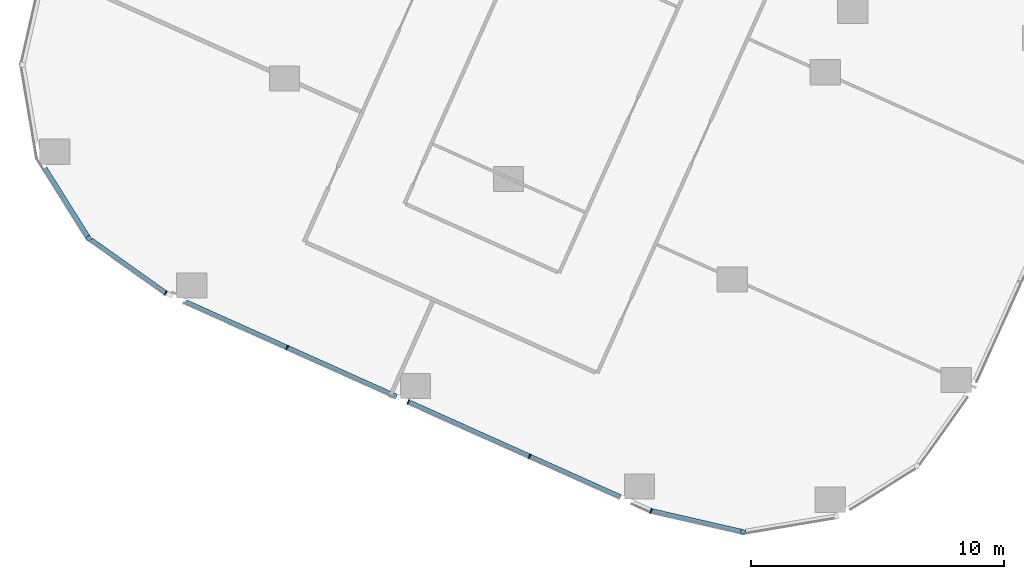
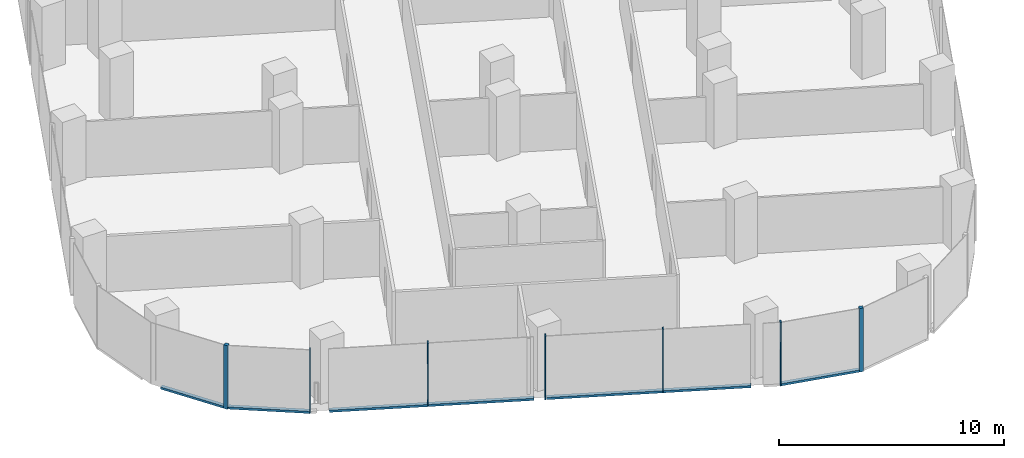
# One storey, part 2 of 34: 12 members, 4 elements without a shape of their own.
"""IFC4 building model written with IfcOpenShell, lengths in metres."""

from ifc_helpers import new_model, si_unit, direction, frame, origin, origin_2d, place, context, subcontext, project, spatial, rectangle, extrude, material, material_profile, profile_set, type_object, element, aggregate, save


model = new_model("IFC4")

# Units and contexts
model_context = context("Model", 3, precision=1e-05, world=origin(), true_north=direction((0.0, 1.0)))
body_context = subcontext(model_context, "Body", "Model", "MODEL_VIEW")
ifc_project = project(units=[si_unit("LENGTHUNIT", "METRE"), si_unit("AREAUNIT", "SQUARE_METRE"), si_unit("VOLUMEUNIT", "CUBIC_METRE"), si_unit("PLANEANGLEUNIT", "RADIAN"), si_unit("MASSUNIT", "GRAM", prefix="KILO")], contexts=[model_context])

# Site, building, storey
site_placement = place(None, origin())
site = spatial("IfcSite", under=ifc_project, at=site_placement, CompositionType="ELEMENT")
building_placement = place(site_placement, origin())
building = spatial("IfcBuilding", under=site, at=building_placement, Name="Orlundy Tower", CompositionType="ELEMENT")
storey_placement = place(building_placement, frame((0.0, 0.0, 134.199951171875)))
storey = spatial("IfcBuildingStorey", under=building, at=storey_placement, Name="L34", CompositionType="ELEMENT", Elevation=134.199951171875)

# Curtain wall, member
ifc_material_1 = material(Name="Aluminium bronze anodised", Category="aluminium")
curtain_wall_type = type_object("IfcCurtainWallType", Name="CW1 wall", PredefinedType="NOTDEFINED", material=ifc_material_1)
curtain_wall_1_placement = place(storey_placement, origin())
curtain_wall_1 = element("IfcCurtainWall", 1, at=curtain_wall_1_placement, inside=storey, type_object=curtain_wall_type, Name="CW1 run 022", PredefinedType="NOTDEFINED")
ifc_material_2 = material(Name="Aluminium bronze anodised", Category="aluminium")
ifc_material_profile_1 = material_profile(ifc_material_2, rectangle(XDim=0.179931640625, YDim=0.179931640625, at=origin_2d()), Name="CW1 corner post 180x180")
ifc_profile_set_1 = profile_set([ifc_material_profile_1], Name="Aluminium bronze anodised")
member_type_1 = type_object("IfcMemberType", Name="CW1 corner post 180x180", PredefinedType="MULLION", material=ifc_profile_set_1)
member_1_placement = place(storey_placement, frame((-11.57861328125, -60.416748046875, -0.39990234375), z_axis=(0.0, 0.0, 1.0), x_axis=(-0.223696612955, -0.974658825104, 0.0)))
member_1 = element("IfcMember", 2, at=member_1_placement, type_object=member_type_1, Name="CW1 mullion 60", PredefinedType="MULLION", context=body_context, shape_type="SweptSolid", body=[
    extrude(rectangle(XDim=0.179931640625, YDim=0.179931640625, at=origin_2d()), origin(), (0.0, 0.0, 1.0), 3.449951171875),
])

curtain_wall_2_placement = place(storey_placement, origin())
curtain_wall_2 = element("IfcCurtainWall", 3, at=curtain_wall_2_placement, inside=storey, type_object=curtain_wall_type, Name="CW1 run 025", PredefinedType="NOTDEFINED")
member_2_placement = place(storey_placement, frame((-37.435791015625, -48.81396484375, -0.39990234375), z_axis=(0.0, 0.0, 1.0), x_axis=(-0.847285276564, -0.531138080086, 0.0)))
member_2 = element("IfcMember", 4, at=member_2_placement, type_object=member_type_1, Name="CW1 mullion 66", PredefinedType="MULLION", context=body_context, shape_type="SweptSolid", body=[
    extrude(rectangle(XDim=0.179931640625, YDim=0.179931640625, at=origin_2d()), origin(), (0.0, 0.0, 1.0), 3.449951171875),
])

# Curtain wall, members
curtain_wall_3_placement = place(storey_placement, origin())
curtain_wall_3 = element("IfcCurtainWall", 5, at=curtain_wall_3_placement, inside=storey, type_object=curtain_wall_type, Name="CW1 run 023", PredefinedType="NOTDEFINED")
ifc_material_3 = material(Name="Aluminium bronze anodised", Category="aluminium")
ifc_material_profile_2 = material_profile(ifc_material_3, rectangle(XDim=0.179931640625, YDim=0.050048828125, at=origin_2d()), Name="CW1 mullion 50x180")
ifc_profile_set_2 = profile_set([ifc_material_profile_2], Name="Aluminium bronze anodised")
member_type_2 = type_object("IfcMemberType", Name="CW1 mullion 50x180", PredefinedType="MULLION", material=ifc_profile_set_2)
member_3_placement = place(storey_placement, frame((-15.216796875, -59.581787109375, -0.39990234375), z_axis=(0.0, 0.0, 1.0), x_axis=(-0.31806418757, -0.948069181329, 0.0)))
member_3 = element("IfcMember", 6, at=member_3_placement, type_object=member_type_2, Name="CW1 mullion 61", PredefinedType="MULLION", context=body_context, shape_type="SweptSolid", body=[
    extrude(rectangle(XDim=0.179931640625, YDim=0.050048828125, at=origin_2d()), origin(), (0.0, 0.0, 1.0), 3.449951171875),
])
member_4_placement = place(storey_placement, frame((-20.014892578125, -57.428955078125, -0.39990234375), z_axis=(0.0, 0.0, 1.0), x_axis=(-0.409374450241, -0.912366461182, 0.0)))
member_4 = element("IfcMember", 7, at=member_4_placement, type_object=member_type_2, Name="CW1 mullion 62", PredefinedType="MULLION", context=body_context, shape_type="SweptSolid", body=[
    extrude(rectangle(XDim=0.179931640625, YDim=0.050048828125, at=origin_2d()), origin(), (0.0, 0.0, 1.0), 3.449951171875),
])
member_5_placement = place(storey_placement, frame((-24.804931640625, -55.279541015625, -0.39990234375), z_axis=(0.0, 0.0, 1.0), x_axis=(-0.409374450241, -0.912366461182, 0.0)))
member_5 = element("IfcMember", 8, at=member_5_placement, type_object=member_type_2, Name="CW1 mullion 63", PredefinedType="MULLION", context=body_context, shape_type="SweptSolid", body=[
    extrude(rectangle(XDim=0.179931640625, YDim=0.050048828125, at=origin_2d()), origin(), (0.0, 0.0, 1.0), 3.449951171875),
])
member_6_placement = place(storey_placement, frame((-29.5947265625, -53.13037109375, -0.39990234375), z_axis=(0.0, 0.0, 1.0), x_axis=(-0.409374450241, -0.912366461182, 0.0)))
member_6 = element("IfcMember", 9, at=member_6_placement, type_object=member_type_2, Name="CW1 mullion 64", PredefinedType="MULLION", context=body_context, shape_type="SweptSolid", body=[
    extrude(rectangle(XDim=0.179931640625, YDim=0.050048828125, at=origin_2d()), origin(), (0.0, 0.0, 1.0), 3.449951171875),
])

# Curtain wall, member
curtain_wall_4_placement = place(storey_placement, origin())
curtain_wall_4 = element("IfcCurtainWall", 10, at=curtain_wall_4_placement, inside=storey, type_object=curtain_wall_type, Name="CW1 run 024", PredefinedType="NOTDEFINED")
member_7_placement = place(storey_placement, frame((-34.392822265625, -50.9775390625, -0.39990234375), z_axis=(0.0, 0.0, 1.0), x_axis=(-0.496816751201, -0.867855469376, 0.0)))
member_7 = element("IfcMember", 11, at=member_7_placement, type_object=member_type_2, Name="CW1 mullion 65", PredefinedType="MULLION", context=body_context, shape_type="SweptSolid", body=[
    extrude(rectangle(XDim=0.179931640625, YDim=0.050048828125, at=origin_2d()), origin(), (0.0, 0.0, 1.0), 3.449951171875),
])

# Member
ifc_material_4 = material(Name="Aluminium bronze anodised", Category="aluminium")
ifc_material_profile_3 = material_profile(ifc_material_4, rectangle(XDim=0.179931640625, YDim=0.1201171875, at=origin_2d()), Name="CW1 transom 180x120")
ifc_profile_set_3 = profile_set([ifc_material_profile_3], Name="Aluminium bronze anodised")
member_type_3 = type_object("IfcMemberType", Name="CW1 transom 180x120", PredefinedType="USERDEFINED", material=ifc_profile_set_3)
member_8_placement = place(storey_placement, frame((-11.66650390625, -60.396484375, -0.33984375), z_axis=(-0.974667990207, 0.223656676329, 0.0), x_axis=(-0.223656676329, -0.974667990207, 0.0)))
member_8 = element("IfcMember", 12, at=member_8_placement, type_object=member_type_3, Name="CW1 transom", ObjectType="TRANSOM", PredefinedType="USERDEFINED", context=body_context, shape_type="SweptSolid", body=[
    extrude(rectangle(XDim=0.179931640625, YDim=0.1201171875, at=origin_2d()), origin(), (0.0, 0.0, 1.0), 3.617431640625),
])

aggregate(curtain_wall_1, [member_1, member_8])

member_9_placement = place(storey_placement, frame((-16.423095703125, -59.04052734375, -0.33984375), z_axis=(-0.912367920635, 0.409371197565, 0.0), x_axis=(-0.409371197565, -0.912367920635, 0.0)))
member_9 = element("IfcMember", 13, at=member_9_placement, type_object=member_type_3, Name="CW1 transom", ObjectType="TRANSOM", PredefinedType="USERDEFINED", context=body_context, shape_type="SweptSolid", body=[
    extrude(rectangle(XDim=0.179931640625, YDim=0.1201171875, at=origin_2d()), origin(), (0.0, 0.0, 1.0), 9.13720703125),
])

member_10_placement = place(storey_placement, frame((-25.27294921875, -55.069580078125, -0.33984375), z_axis=(-0.912372398272, 0.409361218084, 0.0), x_axis=(-0.409361218084, -0.912372398272, 0.0)))
member_10 = element("IfcMember", 14, at=member_10_placement, type_object=member_type_3, Name="CW1 transom", ObjectType="TRANSOM", PredefinedType="USERDEFINED", context=body_context, shape_type="SweptSolid", body=[
    extrude(rectangle(XDim=0.179931640625, YDim=0.1201171875, at=origin_2d()), origin(), (0.0, 0.0, 1.0), 9.137451171875),
])

aggregate(curtain_wall_3, [member_3, member_4, member_5, member_6, member_9, member_10])

member_11_placement = place(storey_placement, frame((-34.413330078125, -50.962890625, -0.33984375), z_axis=(-0.815001442814, 0.579458927114, 0.0), x_axis=(-0.579458927114, -0.815001442814, 0.0)))
member_11 = element("IfcMember", 15, at=member_11_placement, type_object=member_type_3, Name="CW1 transom", ObjectType="TRANSOM", PredefinedType="USERDEFINED", context=body_context, shape_type="SweptSolid", body=[
    extrude(rectangle(XDim=0.179931640625, YDim=0.1201171875, at=origin_2d()), origin(), (0.0, 0.0, 1.0), 3.611083984375),
])

aggregate(curtain_wall_4, [member_7, member_11])

member_12_placement = place(storey_placement, frame((-37.483642578125, -48.73779296875, -0.33984375), z_axis=(-0.531097295616, 0.847310841775, 0.0), x_axis=(-0.847310841775, -0.531097295616, 0.0)))
member_12 = element("IfcMember", 16, at=member_12_placement, type_object=member_type_3, Name="CW1 transom", ObjectType="TRANSOM", PredefinedType="USERDEFINED", context=body_context, shape_type="SweptSolid", body=[
    extrude(rectangle(XDim=0.179931640625, YDim=0.1201171875, at=origin_2d()), origin(), (0.0, 0.0, 1.0), 3.175537109375),
])

aggregate(curtain_wall_2, [member_2, member_12])

save(model, "model.ifc")
